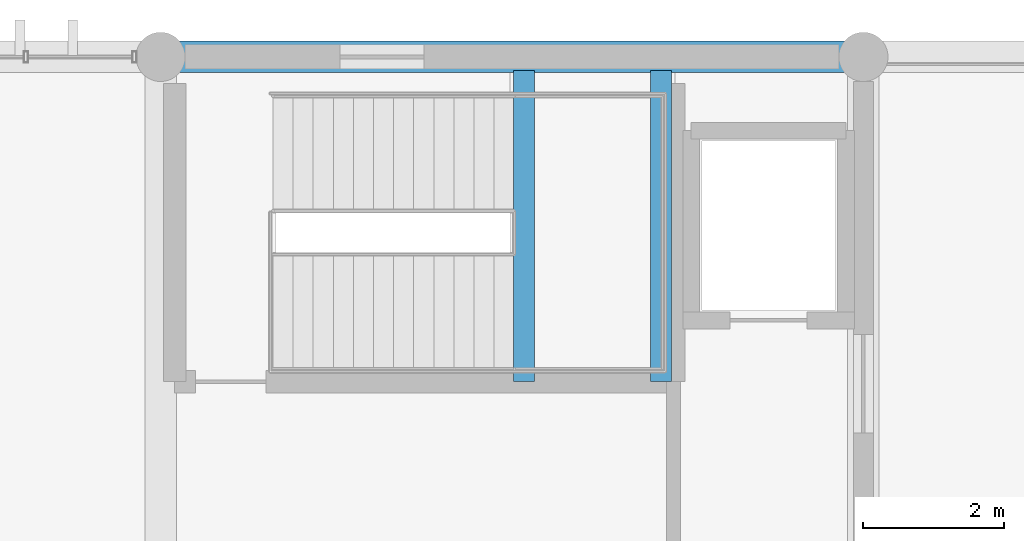
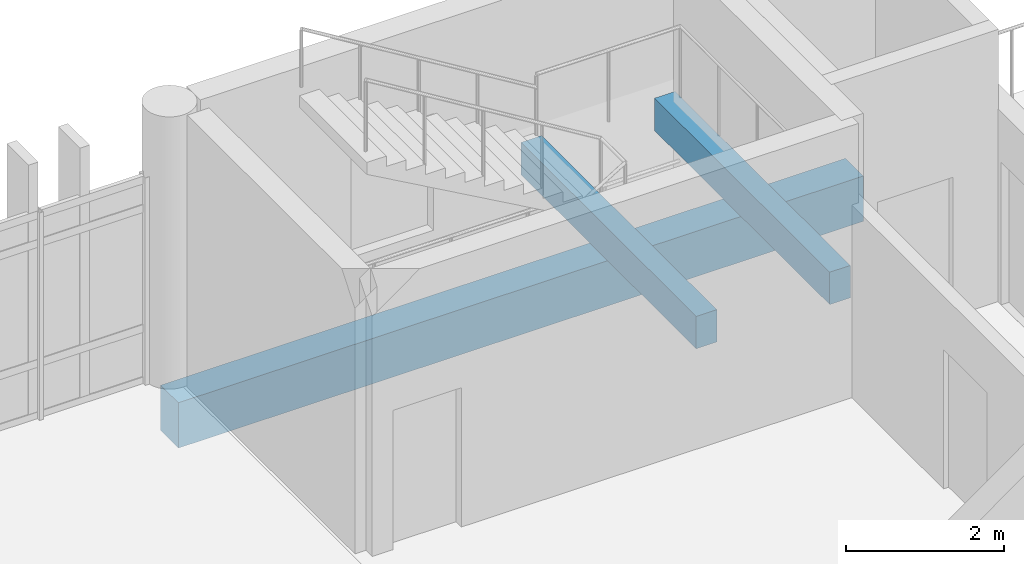
# One storey, part 19 of 29: 3 beams.
"""IFC4 building model written with IfcOpenShell, lengths in metres."""

from ifc_helpers import new_model, si_unit, direction, frame, origin, origin_2d, place, context, subcontext, project, spatial, rectangle, extrude, material, material_profile, profile_set, type_object, element, save


model = new_model("IFC4")

# Units and contexts
model_context = context("Model", 3, precision=1e-05, world=origin(), true_north=direction((0.0, 1.0)))
body_context = subcontext(model_context, "Body", "Model", "MODEL_VIEW")
ifc_project = project(units=[si_unit("LENGTHUNIT", "METRE"), si_unit("AREAUNIT", "SQUARE_METRE"), si_unit("VOLUMEUNIT", "CUBIC_METRE"), si_unit("PLANEANGLEUNIT", "RADIAN"), si_unit("MASSUNIT", "GRAM", prefix="KILO")], contexts=[model_context])

# Site, building, storey
site_placement = place(None, origin())
site = spatial("IfcSite", under=ifc_project, at=site_placement, CompositionType="ELEMENT")
building_placement = place(site_placement, origin())
building = spatial("IfcBuilding", under=site, at=building_placement, Name="Mersad Railyard Sports Hall", CompositionType="ELEMENT")
storey_placement = place(building_placement, frame((0.0, 0.0, 17.39990234375)))
storey = spatial("IfcBuildingStorey", under=building, at=storey_placement, Name="L04", CompositionType="ELEMENT", Elevation=17.39990234375)

# Beams
ifc_material_1 = material(Name="Concrete C40/50", Category="concrete")
ifc_material_profile_1 = material_profile(ifc_material_1, rectangle(XDim=0.300048828125, YDim=0.5, at=origin_2d()), Name="RC 300x500")
ifc_profile_set_1 = profile_set([ifc_material_profile_1], Name="Concrete C40/50")
beam_type_1 = type_object("IfcBeamType", Name="STR-BM-LN01", PredefinedType="LINTEL", material=ifc_profile_set_1)
for number, where, z_axis, x_axis, name in (
    (1, (116.172119140625, 110.3798828125, 1.670166015625), (0.0, 1.0, 0.0), (-1.0, 0.0, 0.0), "Stair ST03F landing beam W"),
    (2, (118.1201171875, 110.3798828125, 1.670166015625), (0.0, 1.0, 0.0), (-1.0, 0.0, 0.0), "Stair ST03F landing beam E"),
):
    element("IfcBeam", number, at=place(storey_placement, frame(where, z_axis=z_axis, x_axis=x_axis)), inside=storey, type_object=beam_type_1, Name=name, PredefinedType="LINTEL", context=body_context, shape_type="SweptSolid", body=[
        extrude(rectangle(XDim=0.300048828125, YDim=0.5, at=origin_2d()), origin(), (0.0, 0.0, 1.0), 4.43017578125),
    ])
ifc_material_2 = material(Name="Architectural concrete C40/50", Category="concrete")
ifc_material_profile_2 = material_profile(ifc_material_2, rectangle(XDim=0.449951171875, YDim=0.699951171875, at=origin_2d()), Name="RC 450x700")
ifc_profile_set_2 = profile_set([ifc_material_profile_2], Name="Architectural concrete C40/50")
beam_type_2 = type_object("IfcBeamType", Name="STR-BM-SP01", PredefinedType="SPANDREL", material=ifc_profile_set_2)
beam_placement = place(storey_placement, frame((111.0, 115.0, -0.669921875), z_axis=(1.0, 0.0, 0.0), x_axis=(0.0, 1.0, 0.0)))
element("IfcBeam", 3, at=beam_placement, inside=storey, type_object=beam_type_2, Name="Beam SP01-1340", PredefinedType="SPANDREL", context=body_context, shape_type="SweptSolid", body=[
    extrude(rectangle(XDim=0.449951171875, YDim=0.699951171875, at=origin_2d()), origin(), (0.0, 0.0, 1.0), 10.0),
])

save(model, "model.ifc")
